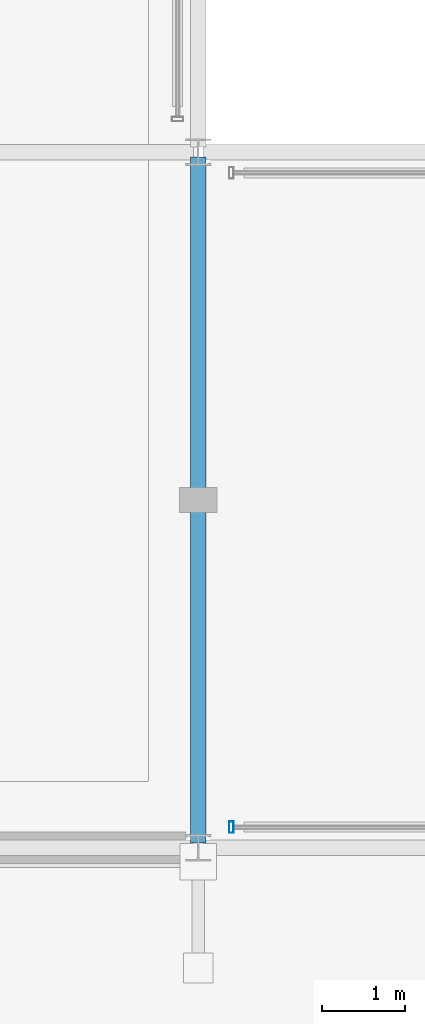
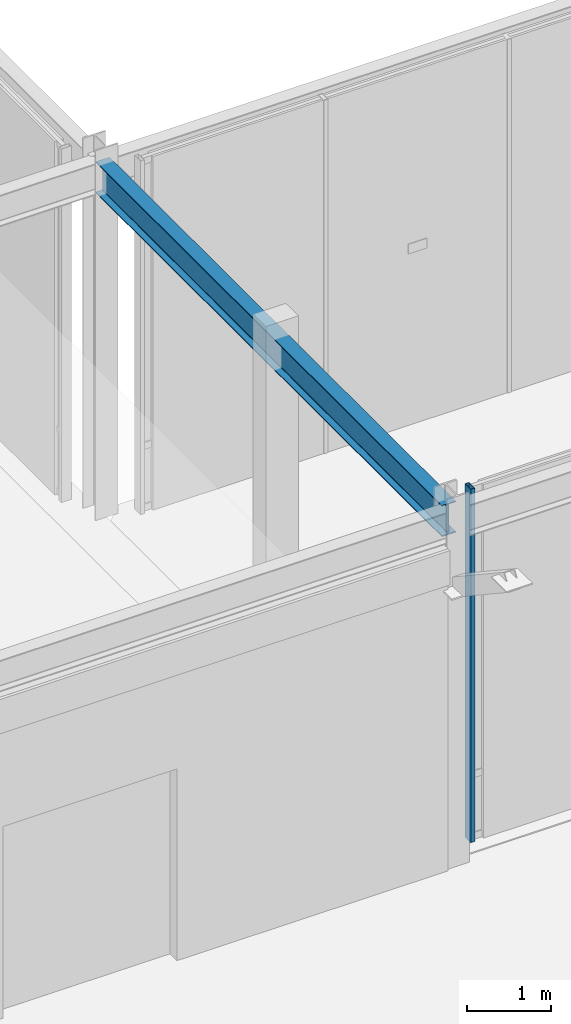
# One storey, part 28 of 157: 1 beam, 1 member, 1 element without a shape of its own.
"""IFC4 building model written with IfcOpenShell, lengths in metres."""

from ifc_helpers import new_model, si_unit, direction, frame, origin, origin_2d, place, context, subcontext, project, spatial, hollow_rectangle, i_section, extrude, material, material_profile, profile_set, type_object, element, aggregate, save


model = new_model("IFC4")

# Units and contexts
model_context = context("Model", 3, precision=1e-05, world=origin(), true_north=direction((0.0, 1.0)))
body_context = subcontext(model_context, "Body", "Model", "MODEL_VIEW")
ifc_project = project(units=[si_unit("LENGTHUNIT", "METRE"), si_unit("AREAUNIT", "SQUARE_METRE"), si_unit("VOLUMEUNIT", "CUBIC_METRE"), si_unit("PLANEANGLEUNIT", "RADIAN"), si_unit("MASSUNIT", "GRAM", prefix="KILO"), si_unit("THERMODYNAMICTEMPERATUREUNIT", "KELVIN"), si_unit("POWERUNIT", "WATT")], contexts=[model_context])

# Site, building, storey
site_placement = place(None, origin())
site = spatial("IfcSite", under=ifc_project, at=site_placement, CompositionType="ELEMENT")
building_placement = place(site_placement, origin())
building = spatial("IfcBuilding", under=site, at=building_placement, Name="Darbajah Civic Hall", CompositionType="ELEMENT")
storey_placement = place(building_placement, origin())
storey = spatial("IfcBuildingStorey", under=building, at=storey_placement, Name="L00", CompositionType="ELEMENT", Elevation=0.0)

# Curtain wall, member
ifc_material_1 = material(Name="Anodised Bronze Aluminium and Low-E Glazing", Category="aluminium")
curtain_wall_type = type_object("IfcCurtainWallType", Name="Unitised Curtain Wall CW-101 7600x5150", PredefinedType="USERDEFINED", material=ifc_material_1)
curtain_wall_placement = place(storey_placement, origin())
curtain_wall = element("IfcCurtainWall", 1, at=curtain_wall_placement, inside=storey, type_object=curtain_wall_type, Name="L00 unitised curtain wall CW-V6-SE-S-L00", ObjectType="UNITISED CURTAIN WALL", PredefinedType="USERDEFINED")
ifc_material_2 = material(Name="Anodised Bronze Aluminium", Category="aluminium")
ifc_material_profile_1 = material_profile(ifc_material_2, hollow_rectangle(XDim=0.054931640625, YDim=0.139892578125, WallThickness=0.003173828125, at=origin_2d()), Name="ALU MULLION 55x140")
ifc_profile_set_1 = profile_set([ifc_material_profile_1], Name="Anodised Bronze Aluminium")
member_type = type_object("IfcMemberType", Name="ALU MULLION 55x140", PredefinedType="MULLION", material=ifc_profile_set_1)
member_placement = place(storey_placement, frame((94.60009765625, 33.85009765625, 0.0), z_axis=(0.0, 0.0, 1.0), x_axis=(1.0, 0.0, 0.0)))
member = element("IfcMember", 2, at=member_placement, type_object=member_type, Name="CW-V6-SE-S-L00 mullion 1", PredefinedType="MULLION", context=body_context, shape_type="SweptSolid", body=[
    extrude(hollow_rectangle(XDim=0.054931640625, YDim=0.139892578125, WallThickness=0.003173828125, at=origin_2d()), origin(), (0.0, 0.0, 1.0), 5.159912109375),
])
aggregate(curtain_wall, [member])

# Beam
ifc_material_3 = material(Name="Steel S355JR", Category="steel")
ifc_material_profile_2 = material_profile(ifc_material_3, i_section(OverallWidth=0.1904296875, OverallDepth=0.45703125, WebThickness=0.009033203125, FlangeThickness=0.014404296875, FilletRadius=0.01025390625, at=origin_2d()), Name="UB 457x191x74")
ifc_profile_set_2 = profile_set([ifc_material_profile_2], Name="Steel S355JR")
beam_type = type_object("IfcBeamType", Name="UB 457x191x74", PredefinedType="BEAM", material=ifc_profile_set_2)
beam_placement = place(storey_placement, frame((94.199951171875, 33.659912109375, 4.931396484375), z_axis=(0.0, 1.0, 0.0), x_axis=(-1.0, 0.0, 0.0)))
element("IfcBeam", 3, at=beam_placement, inside=storey, type_object=beam_type, Name="L00 beam SB-457", PredefinedType="BEAM", context=body_context, shape_type="SweptSolid", body=[
    extrude(i_section(OverallWidth=0.1904296875, OverallDepth=0.45703125, WebThickness=0.009033203125, FlangeThickness=0.014404296875, FilletRadius=0.01025390625, at=origin_2d()), origin(), (0.0, 0.0, 1.0), 8.280029296875),
])

save(model, "model.ifc")
